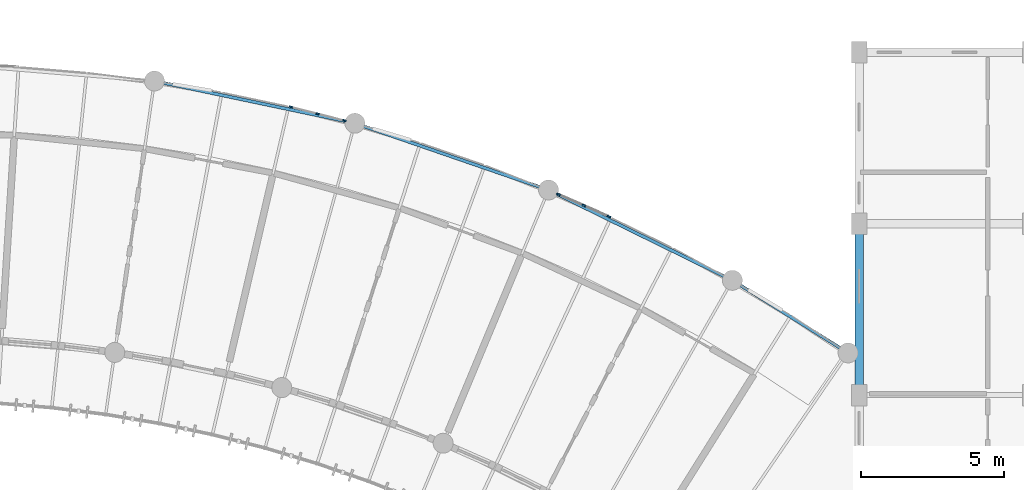
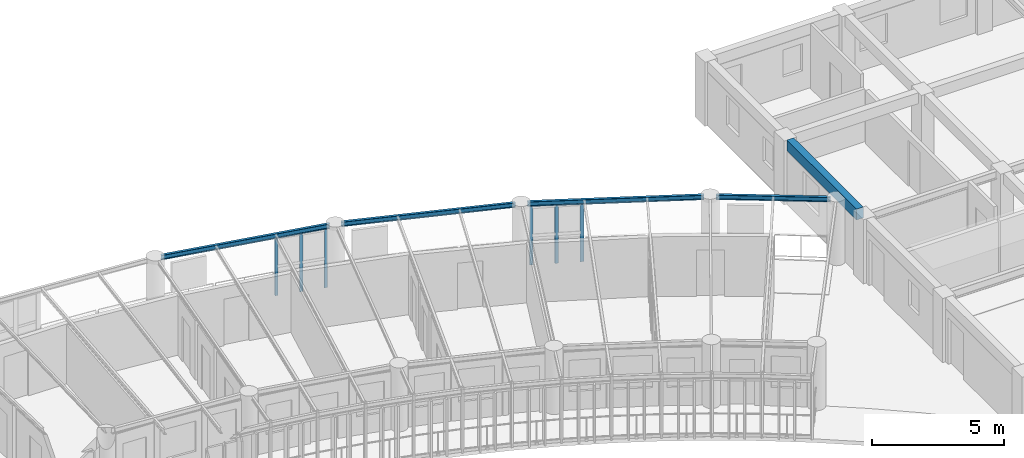
# One storey, part 39 of 100: 6 members, 5 beams, 2 elements without a shape of their own.
"""IFC4 building model written with IfcOpenShell, lengths in metres."""

from ifc_helpers import new_model, si_unit, direction, frame, origin, origin_2d, place, context, subcontext, project, spatial, rectangle, i_section, extrude, material, layer, layer_set, material_profile, profile_set, type_object, element, aggregate, save


model = new_model("IFC4")

# Units and contexts
model_context = context("Model", 3, precision=1e-05, world=origin(), true_north=direction((0.0, 1.0)))
body_context = subcontext(model_context, "Body", "Model", "MODEL_VIEW")
ifc_project = project(units=[si_unit("LENGTHUNIT", "METRE"), si_unit("AREAUNIT", "SQUARE_METRE"), si_unit("VOLUMEUNIT", "CUBIC_METRE"), si_unit("PLANEANGLEUNIT", "RADIAN"), si_unit("MASSUNIT", "GRAM", prefix="KILO"), si_unit("POWERUNIT", "WATT"), si_unit("THERMODYNAMICTEMPERATUREUNIT", "KELVIN")], contexts=[model_context])

# Site, building, storey
site_placement = place(None, origin())
site = spatial("IfcSite", under=ifc_project, at=site_placement, CompositionType="ELEMENT")
building_placement = place(site_placement, origin())
building = spatial("IfcBuilding", under=site, at=building_placement, Name="Ruvembo Vaulted Housing Court", CompositionType="ELEMENT")
storey_placement = place(building_placement, frame((0.0, 0.0, 10.89990234375)))
storey = spatial("IfcBuildingStorey", under=building, at=storey_placement, Name="L03", CompositionType="ELEMENT", Elevation=10.89990234375)

# Beams
ifc_material_1 = material(Name="Steel S355J2", Category="steel")
ifc_material_profile_1 = material_profile(ifc_material_1, i_section(OverallWidth=0.110107421875, OverallDepth=0.219970703125, WebThickness=0.005859375, FlangeThickness=0.00927734375, FilletRadius=0.011962890625, at=origin_2d()), Name="IPE 220")
ifc_profile_set_1 = profile_set([ifc_material_profile_1], Name="Steel S355J2")
beam_type_1 = type_object("IfcBeamType", Name="BM-ST-IPE220", PredefinedType="SPANDREL", material=ifc_profile_set_1)
for number, where, z_axis, x_axis, name in (
    (1, (125.564208984375, 106.94580078125, 2.83203125), (0.978539744328, -0.206058168417, 0.0), (0.206058168417, 0.978539744328, 0.0), "Scoop SC3 L03 Chord Girder B18"),
    (2, (132.571044921875, 105.44091796875, 2.83203125), (0.945368340615, -0.326004141942, 0.0), (0.326004141942, 0.945368340615, 0.0), "Scoop SC3 L03 Chord Girder B21"),
):
    element("IfcBeam", number, at=place(storey_placement, frame(where, z_axis=z_axis, x_axis=x_axis)), inside=storey, type_object=beam_type_1, Name=name, PredefinedType="SPANDREL", context=body_context, shape_type="SweptSolid", body=[
        extrude(i_section(OverallWidth=0.110107421875, OverallDepth=0.219970703125, WebThickness=0.005859375, FlangeThickness=0.00927734375, FilletRadius=0.011962890625, at=origin_2d()), origin(), (0.0, 0.0, 1.0), 6.70849609375),
    ])
beam_1_placement = place(storey_placement, frame((139.3369140625, 103.07763671875, 2.83203125), z_axis=(0.897549525585, -0.440913652683, 0.0), x_axis=(0.440913652683, 0.897549525585, 0.0)))
element("IfcBeam", 3, at=beam_1_placement, inside=storey, type_object=beam_type_1, Name="Scoop SC3 L03 Chord Girder B24", PredefinedType="SPANDREL", context=body_context, shape_type="SweptSolid", body=[
    extrude(i_section(OverallWidth=0.110107421875, OverallDepth=0.219970703125, WebThickness=0.005859375, FlangeThickness=0.00927734375, FilletRadius=0.011962890625, at=origin_2d()), origin(), (0.0, 0.0, 1.0), 6.708251953125),
])
beam_2_placement = place(storey_placement, frame((145.75927734375, 99.896240234375, 2.83203125), z_axis=(0.84702548378, -0.53155228325, 0.0), x_axis=(0.53155228325, 0.84702548378, 0.0)))
element("IfcBeam", 4, at=beam_2_placement, inside=storey, type_object=beam_type_1, Name="Scoop SC3 L03 Chord Girder B27", PredefinedType="SPANDREL", context=body_context, shape_type="SweptSolid", body=[
    extrude(i_section(OverallWidth=0.110107421875, OverallDepth=0.219970703125, WebThickness=0.005859375, FlangeThickness=0.00927734375, FilletRadius=0.011962890625, at=origin_2d()), origin(), (0.0, 0.0, 1.0), 4.320556640625),
])

# Curtain wall, members
ifc_material_2 = material(Name="Anodised Aluminium and Solar-Control Glass", Category="aluminium")
ifc_layer = layer(ifc_material_2, 0.139892578125, Name="Anodised Aluminium and Solar-Control Glass")
ifc_layer_set = layer_set([ifc_layer], Name="Anodised Aluminium and Solar-Control Glass")
curtain_wall_type = type_object("IfcCurtainWallType", Name="CW-SCOOP-PAN", PredefinedType="NOTDEFINED", material=ifc_layer_set)
curtain_wall_1_placement = place(storey_placement, origin())
curtain_wall_1 = element("IfcCurtainWall", 5, at=curtain_wall_1_placement, inside=storey, type_object=curtain_wall_type, Name="L03 Curtain Wall CW-L03-0075", PredefinedType="NOTDEFINED")
ifc_material_3 = material(Name="Anodised Aluminium 6063-T6", Category="aluminium")
ifc_material_profile_2 = material_profile(ifc_material_3, rectangle(XDim=0.054931640625, YDim=0.1201171875, at=origin_2d()), Name="ALU 55x120")
ifc_profile_set_2 = profile_set([ifc_material_profile_2], Name="Anodised Aluminium 6063-T6")
member_type_1 = type_object("IfcMemberType", Name="CW-MUL-55x120", PredefinedType="MULLION", material=ifc_profile_set_2)
member_1_placement = place(storey_placement, frame((130.11181640625, 106.086181640625, 0.0), z_axis=(0.0, 0.0, 1.0), x_axis=(0.246481144869, 0.969147586916, 0.0)))
member_1 = element("IfcMember", 6, at=member_1_placement, type_object=member_type_1, Name="CW10 mullion 1", PredefinedType="MULLION", context=body_context, shape_type="SweptSolid", body=[
    extrude(rectangle(XDim=0.054931640625, YDim=0.1201171875, at=origin_2d()), origin(), (0.0, 0.0, 1.0), 2.697998046875),
])
member_2_placement = place(storey_placement, frame((131.0498046875, 105.84765625, 0.0), z_axis=(0.0, 0.0, 1.0), x_axis=(0.246481144869, 0.969147586916, 0.0)))
member_2 = element("IfcMember", 7, at=member_2_placement, type_object=member_type_1, Name="CW10 mullion 2", PredefinedType="MULLION", context=body_context, shape_type="SweptSolid", body=[
    extrude(rectangle(XDim=0.054931640625, YDim=0.1201171875, at=origin_2d()), origin(), (0.0, 0.0, 1.0), 2.697998046875),
])
member_3_placement = place(storey_placement, frame((131.98779296875, 105.609130859375, 0.0), z_axis=(0.0, 0.0, 1.0), x_axis=(0.246481144869, 0.969147586916, 0.0)))
member_3 = element("IfcMember", 8, at=member_3_placement, type_object=member_type_1, Name="CW10 mullion 3", PredefinedType="MULLION", context=body_context, shape_type="SweptSolid", body=[
    extrude(rectangle(XDim=0.054931640625, YDim=0.1201171875, at=origin_2d()), origin(), (0.0, 0.0, 1.0), 2.697998046875),
])
aggregate(curtain_wall_1, [member_1, member_2, member_3])

curtain_wall_2_placement = place(storey_placement, origin())
curtain_wall_2 = element("IfcCurtainWall", 9, at=curtain_wall_2_placement, inside=storey, type_object=curtain_wall_type, Name="L03 Curtain Wall CW-L03-0076", PredefinedType="NOTDEFINED")
ifc_material_profile_3 = material_profile(ifc_material_3, rectangle(XDim=0.06005859375, YDim=0.139892578125, at=origin_2d()), Name="ALU 60x140")
ifc_profile_set_3 = profile_set([ifc_material_profile_3], Name="Anodised Aluminium 6063-T6")
member_type_2 = type_object("IfcMemberType", Name="CW-MUL-60x140", PredefinedType="MULLION", material=ifc_profile_set_3)
member_4_placement = place(storey_placement, frame((139.478271484375, 103.025634765625, 0.0), z_axis=(0.0, 0.0, 1.0), x_axis=(0.403265448713, 0.91508304425, 0.0)))
member_4 = element("IfcMember", 10, at=member_4_placement, type_object=member_type_2, Name="CW10 mullion 1", PredefinedType="MULLION", context=body_context, shape_type="SweptSolid", body=[
    extrude(rectangle(XDim=0.06005859375, YDim=0.139892578125, at=origin_2d()), origin(), (0.0, 0.0, 1.0), 2.697998046875),
])
member_5_placement = place(storey_placement, frame((140.361572265625, 102.636474609375, 0.0), z_axis=(0.0, 0.0, 1.0), x_axis=(0.403265448713, 0.91508304425, 0.0)))
member_5 = element("IfcMember", 11, at=member_5_placement, type_object=member_type_2, Name="CW10 mullion 2", PredefinedType="MULLION", context=body_context, shape_type="SweptSolid", body=[
    extrude(rectangle(XDim=0.06005859375, YDim=0.139892578125, at=origin_2d()), origin(), (0.0, 0.0, 1.0), 2.697998046875),
])
member_6_placement = place(storey_placement, frame((141.244873046875, 102.2470703125, 0.0), z_axis=(0.0, 0.0, 1.0), x_axis=(0.403265448713, 0.91508304425, 0.0)))
member_6 = element("IfcMember", 12, at=member_6_placement, type_object=member_type_2, Name="CW10 mullion 3", PredefinedType="MULLION", context=body_context, shape_type="SweptSolid", body=[
    extrude(rectangle(XDim=0.06005859375, YDim=0.139892578125, at=origin_2d()), origin(), (0.0, 0.0, 1.0), 2.697998046875),
])
aggregate(curtain_wall_2, [member_4, member_5, member_6])

# Beam
ifc_material_4 = material(Name="Concrete C35/45", Category="concrete")
ifc_material_profile_4 = material_profile(ifc_material_4, rectangle(XDim=0.300048828125, YDim=0.5, at=origin_2d()), Name="RC 300x500")
ifc_profile_set_4 = profile_set([ifc_material_profile_4], Name="Concrete C35/45")
beam_type_2 = type_object("IfcBeamType", Name="SP-RC-300x500", PredefinedType="SPANDREL", material=ifc_profile_set_4)
beam_3_placement = place(storey_placement, frame((150.0, 96.360107421875, 2.710205078125), z_axis=(0.0, 1.0, 0.0), x_axis=(-1.0, 0.0, 0.0)))
element("IfcBeam", 13, at=beam_3_placement, inside=storey, type_object=beam_type_2, Name="L03 Grid Beam Y #1966", PredefinedType="SPANDREL", context=body_context, shape_type="SweptSolid", body=[
    extrude(rectangle(XDim=0.300048828125, YDim=0.5, at=origin_2d()), origin(), (0.0, 0.0, 1.0), 5.27978515625),
])

save(model, "model.ifc")
